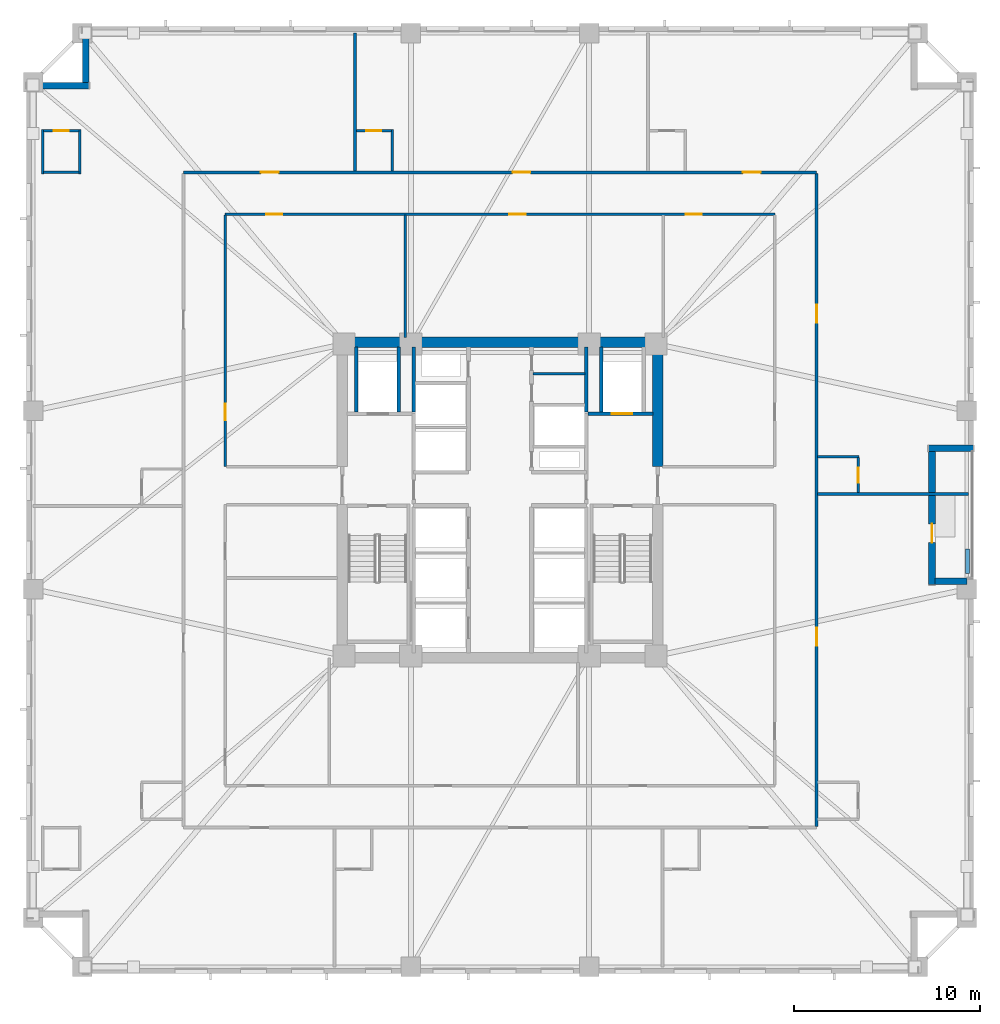
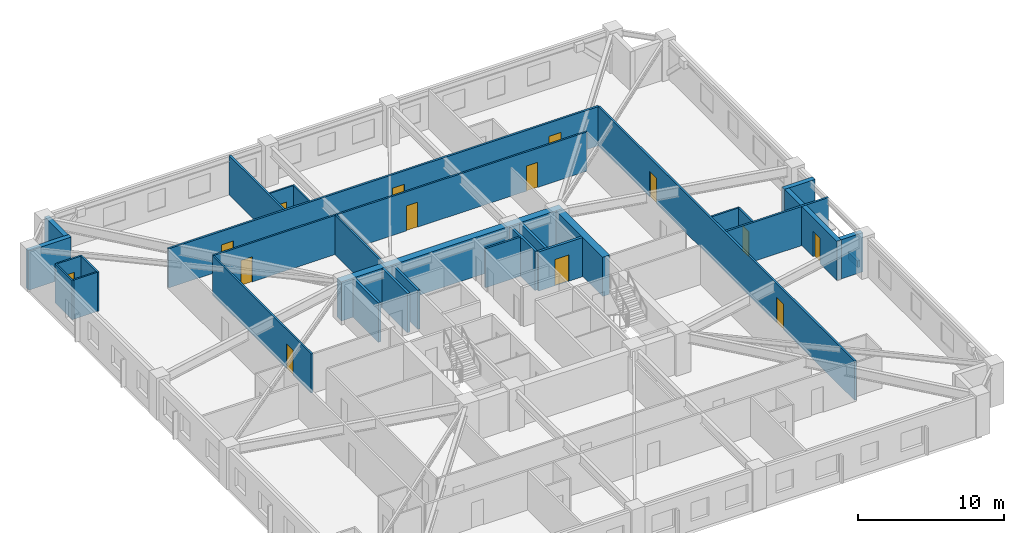
# One storey, part 5 of 11: 30 walls, 14 doors, 14 openings.
"""IFC4 building model written with IfcOpenShell, lengths in metres."""

from ifc_helpers import new_model, si_unit, direction, frame, frame_2d, origin, place, context, subcontext, project, spatial, rectangle, extrude, material, layer, layer_set, type_object, element, fill, save


model = new_model("IFC4")

# Units and contexts
model_context = context("Model", 3, precision=1e-05, world=origin(), true_north=direction((0.0, 1.0)))
body_context = subcontext(model_context, "Body", "Model", "MODEL_VIEW")
ifc_project = project(units=[si_unit("LENGTHUNIT", "METRE"), si_unit("AREAUNIT", "SQUARE_METRE"), si_unit("VOLUMEUNIT", "CUBIC_METRE"), si_unit("PLANEANGLEUNIT", "RADIAN"), si_unit("MASSUNIT", "GRAM", prefix="KILO")], contexts=[model_context])

# Site, building, storey
site_placement = place(None, origin())
site = spatial("IfcSite", under=ifc_project, at=site_placement, CompositionType="ELEMENT")
building_placement = place(site_placement, origin())
building = spatial("IfcBuilding", under=site, at=building_placement, Name="Cairnveth Concourse Tower", CompositionType="ELEMENT")
storey_placement = place(building_placement, frame((0.0, 0.0, 65.5)))
storey = spatial("IfcBuildingStorey", under=building, at=storey_placement, Name="L17", CompositionType="ELEMENT", Elevation=65.5)

# Wall
ifc_material_1 = material(Name="Gypsum Plasterboard Partition", Category="gypsum")
ifc_layer_1 = layer(ifc_material_1, 0.159912109375)
ifc_layer_set_1 = layer_set([ifc_layer_1], Name="Gypsum Plasterboard Partition")
wall_type_1 = type_object("IfcWallType", Name="ACOUSTIC PARTY WALL 180", PredefinedType="PARTITIONING", material=ifc_layer_set_1)
wall_1_placement = place(storey_placement, frame((53.784912109375, 45.800048828125, 0.0), z_axis=(0.0, 0.0, 1.0), x_axis=(1.0, 0.0, 0.0)))
element("IfcWall", 1, at=wall_1_placement, inside=storey, type_object=wall_type_1, Name="Interior Wall IW-L17-037", PredefinedType="PARTITIONING", context=body_context, shape_type="SweptSolid", body=[
    extrude(rectangle(XDim=2.7900390625, YDim=0.159912109375, at=frame_2d((1.39501953125, 0.0))), origin(), (0.0, 0.0, 1.0), 3.280029296875),
])

# Wall, openings, doors
wall_2_placement = place(storey_placement, frame((34.949951171875, 56.64990234375, 0.0), z_axis=(0.0, 0.0, 1.0), x_axis=(1.0, 0.0, 0.0)))
wall_2 = element("IfcWall", 2, at=wall_2_placement, inside=storey, type_object=wall_type_1, Name="Interior Wall IW-L17-039", PredefinedType="PARTITIONING", context=body_context, shape_type="SweptSolid", body=[
    extrude(rectangle(XDim=34.10009765625, YDim=0.159912109375, at=frame_2d((17.050048828125, 0.0))), origin(), (0.0, 0.0, 1.0), 3.280029296875),
])
opening_1_placement = place(wall_2_placement, frame((4.166259765625, 0.0, 0.0)))
opening_1 = element("IfcOpeningElement", 3, at=opening_1_placement, cuts=wall_2, Name="Opening ID09", PredefinedType="OPENING", context=body_context, shape_type="SweptSolid", body=[
    extrude(rectangle(XDim=0.9599609375, YDim=2.14990234375, at=frame_2d((0.47998046875, 1.074951171875))), frame((0.0, 0.08984375, 0.0), z_axis=(0.0, -1.0, 0.0), x_axis=(1.0, 0.0, 0.0)), (0.0, 0.0, 1.0), 0.179931640625),
])
opening_2_placement = place(wall_2_placement, frame((17.72998046875, 0.0, 0.0)))
opening_2 = element("IfcOpeningElement", 4, at=opening_2_placement, cuts=wall_2, Name="Opening ID09", PredefinedType="OPENING", context=body_context, shape_type="SweptSolid", body=[
    extrude(rectangle(XDim=0.9599609375, YDim=2.14990234375, at=frame_2d((0.47998046875, 1.074951171875))), frame((0.0, 0.08984375, 0.0), z_axis=(0.0, -1.0, 0.0), x_axis=(1.0, 0.0, 0.0)), (0.0, 0.0, 1.0), 0.179931640625),
])
opening_3_placement = place(wall_2_placement, frame((30.1337890625, 0.0, 0.0)))
opening_3 = element("IfcOpeningElement", 5, at=opening_3_placement, cuts=wall_2, Name="Opening ID09", PredefinedType="OPENING", context=body_context, shape_type="SweptSolid", body=[
    extrude(rectangle(XDim=0.9599609375, YDim=2.14990234375, at=frame_2d((0.47998046875, 1.074951171875))), frame((0.0, 0.08984375, 0.0), z_axis=(0.0, -1.0, 0.0), x_axis=(1.0, 0.0, 0.0)), (0.0, 0.0, 1.0), 0.179931640625),
])
ifc_material_2 = material(Name="Solid Core Hardwood Timber Leaf", Category="wood")
door_type_1 = type_object("IfcDoorType", Name="HOTEL ENTRANCE DOOR 960X2150", OperationType="NOTDEFINED", PredefinedType="DOOR", material=ifc_material_2)
door_1_placement = place(opening_1_placement, origin())
door_1 = element("IfcDoor", 6, at=door_1_placement, inside=storey, type_object=door_type_1, Name="Hotel Room Door L17-N1", OperationType="SINGLE_SWING_RIGHT", OverallHeight=2.14990234375, OverallWidth=0.9599609375, PredefinedType="DOOR", context=body_context, shape_type="SweptSolid", body=[
    extrude(rectangle(XDim=0.9599609375, YDim=2.14990234375, at=frame_2d((0.47998046875, 1.074951171875))), frame((0.0, 0.02490234375, 0.0), z_axis=(0.0, -1.0, 0.0), x_axis=(1.0, 0.0, 0.0)), (0.0, 0.0, 1.0), 0.050048828125),
])
fill(opening_1, door_1)
door_2_placement = place(opening_2_placement, origin())
door_2 = element("IfcDoor", 7, at=door_2_placement, inside=storey, type_object=door_type_1, Name="Hotel Room Door L17-N2", OperationType="SINGLE_SWING_RIGHT", OverallHeight=2.14990234375, OverallWidth=0.9599609375, PredefinedType="DOOR", context=body_context, shape_type="SweptSolid", body=[
    extrude(rectangle(XDim=0.9599609375, YDim=2.14990234375, at=frame_2d((0.47998046875, 1.074951171875))), frame((0.0, 0.02490234375, 0.0), z_axis=(0.0, -1.0, 0.0), x_axis=(1.0, 0.0, 0.0)), (0.0, 0.0, 1.0), 0.050048828125),
])
fill(opening_2, door_2)
door_3_placement = place(opening_3_placement, origin())
door_3 = element("IfcDoor", 8, at=door_3_placement, inside=storey, type_object=door_type_1, Name="Hotel Room Door L17-N3", OperationType="SINGLE_SWING_RIGHT", OverallHeight=2.14990234375, OverallWidth=0.9599609375, PredefinedType="DOOR", context=body_context, shape_type="SweptSolid", body=[
    extrude(rectangle(XDim=0.9599609375, YDim=2.14990234375, at=frame_2d((0.47998046875, 1.074951171875))), frame((0.0, 0.02490234375, 0.0), z_axis=(0.0, -1.0, 0.0), x_axis=(1.0, 0.0, 0.0)), (0.0, 0.0, 1.0), 0.050048828125),
])
fill(opening_3, door_3)

wall_3_placement = place(storey_placement, frame((69.050048828125, 21.4150390625, 0.0), z_axis=(0.0, 0.0, 1.0), x_axis=(0.0, 1.0, 0.0)))
wall_3 = element("IfcWall", 9, at=wall_3_placement, inside=storey, type_object=wall_type_1, Name="Interior Wall IW-L17-041", PredefinedType="PARTITIONING", context=body_context, shape_type="SweptSolid", body=[
    extrude(rectangle(XDim=35.169921875, YDim=0.159912109375, at=frame_2d((17.5849609375, 0.0))), origin(), (0.0, 0.0, 1.0), 3.280029296875),
])
opening_4_placement = place(wall_3_placement, frame((9.74560546875, 0.0, 0.0)))
opening_4 = element("IfcOpeningElement", 10, at=opening_4_placement, cuts=wall_3, Name="Opening ID09", PredefinedType="OPENING", context=body_context, shape_type="SweptSolid", body=[
    extrude(rectangle(XDim=0.9599609375, YDim=2.14990234375, at=frame_2d((0.47998046875, 1.074951171875))), frame((0.0, 0.08984375, 0.0), z_axis=(0.0, -1.0, 0.0), x_axis=(1.0, 0.0, 0.0)), (0.0, 0.0, 1.0), 0.179931640625),
])
opening_5_placement = place(wall_3_placement, frame((27.145751953125, 0.0, 0.0)))
opening_5 = element("IfcOpeningElement", 11, at=opening_5_placement, cuts=wall_3, Name="Opening ID09", PredefinedType="OPENING", context=body_context, shape_type="SweptSolid", body=[
    extrude(rectangle(XDim=0.9599609375, YDim=2.14990234375, at=frame_2d((0.47998046875, 1.074951171875))), frame((0.0, 0.08984375, 0.0), z_axis=(0.0, -1.0, 0.0), x_axis=(1.0, 0.0, 0.0)), (0.0, 0.0, 1.0), 0.179931640625),
])
door_4_placement = place(opening_4_placement, origin())
door_4 = element("IfcDoor", 12, at=door_4_placement, inside=storey, type_object=door_type_1, Name="Hotel Room Door L17-E1", OperationType="SINGLE_SWING_RIGHT", OverallHeight=2.14990234375, OverallWidth=0.9599609375, PredefinedType="DOOR", context=body_context, shape_type="SweptSolid", body=[
    extrude(rectangle(XDim=0.9599609375, YDim=2.14990234375, at=frame_2d((0.47998046875, 1.074951171875))), frame((0.0, 0.02490234375, 0.0), z_axis=(0.0, -1.0, 0.0), x_axis=(1.0, 0.0, 0.0)), (0.0, 0.0, 1.0), 0.050048828125),
])
fill(opening_4, door_4)
door_5_placement = place(opening_5_placement, origin())
door_5 = element("IfcDoor", 13, at=door_5_placement, inside=storey, type_object=door_type_1, Name="Hotel Room Door L17-E2", OperationType="SINGLE_SWING_RIGHT", OverallHeight=2.14990234375, OverallWidth=0.9599609375, PredefinedType="DOOR", context=body_context, shape_type="SweptSolid", body=[
    extrude(rectangle(XDim=0.9599609375, YDim=2.14990234375, at=frame_2d((0.47998046875, 1.074951171875))), frame((0.0, 0.02490234375, 0.0), z_axis=(0.0, -1.0, 0.0), x_axis=(1.0, 0.0, 0.0)), (0.0, 0.0, 1.0), 0.050048828125),
])
fill(opening_5, door_5)

# Walls
wall_4_placement = place(storey_placement, frame((44.1923828125, 56.715087890625, 0.0), z_axis=(0.0, 0.0, 1.0), x_axis=(0.0, 1.0, 0.0)))
element("IfcWall", 14, at=wall_4_placement, inside=storey, type_object=wall_type_1, Name="Interior Wall IW-L17-071", PredefinedType="PARTITIONING", context=body_context, shape_type="SweptSolid", body=[
    extrude(rectangle(XDim=7.43994140625, YDim=0.159912109375, at=frame_2d((3.719970703125, 0.0))), origin(), (0.0, 0.0, 1.0), 3.280029296875),
])
wall_5_placement = place(storey_placement, frame((69.114990234375, 39.33154296875, 0.0), z_axis=(0.0, 0.0, 1.0), x_axis=(1.0, 0.0, 0.0)))
element("IfcWall", 15, at=wall_5_placement, inside=storey, type_object=wall_type_1, Name="Interior Wall IW-L17-086", PredefinedType="PARTITIONING", context=body_context, shape_type="SweptSolid", body=[
    extrude(rectangle(XDim=8.114990234375, YDim=0.159912109375, at=frame_2d((4.0576171875, 0.0))), origin(), (0.0, 0.0, 1.0), 3.280029296875),
])
ifc_material_3 = material(Name="Concrete N80 (80 MPa)", Category="concrete")
ifc_layer_2 = layer(ifc_material_3, 0.550048828125)
ifc_layer_set_2 = layer_set([ifc_layer_2], Name="Concrete N80 (80 MPa)")
wall_type_2 = type_object("IfcWallType", Name="CORE SHEAR WALL 550", PredefinedType="SHEAR", material=ifc_layer_set_2)
wall_6_placement = place(storey_placement, frame((43.22509765625, 47.5, 0.0), z_axis=(0.0, 0.0, 1.0), x_axis=(1.0, 0.0, 0.0)))
element("IfcWall", 16, at=wall_6_placement, inside=storey, type_object=wall_type_2, Name="Core North Shear Wall L17", PredefinedType="SHEAR", context=body_context, shape_type="SweptSolid", body=[
    extrude(rectangle(XDim=17.5498046875, YDim=0.550048828125, at=frame_2d((8.77490234375, 0.0))), origin(), (0.0, 0.0, 1.0), 3.280029296875),
])
wall_7_placement = place(storey_placement, frame((60.5, 40.800048828125, 0.0), z_axis=(0.0, 0.0, 1.0), x_axis=(0.0, 1.0, 0.0)))
element("IfcWall", 17, at=wall_7_placement, inside=storey, type_object=wall_type_2, Name="Core East Shear Wall N L17", PredefinedType="SHEAR", context=body_context, shape_type="SweptSolid", body=[
    extrude(rectangle(XDim=6.43505859375, YDim=0.550048828125, at=frame_2d((3.217529296875, 0.0))), origin(), (0.0, 0.0, 1.0), 3.280029296875),
])
ifc_material_4 = material(Name="Concrete N50 (50 MPa)", Category="concrete")
ifc_layer_3 = layer(ifc_material_4, 0.179931640625)
ifc_layer_set_3 = layer_set([ifc_layer_3], Name="Concrete N50 (50 MPa)")
wall_type_3 = type_object("IfcWallType", Name="FIRE SHAFT WALL 180", PredefinedType="SOLIDWALL", material=ifc_layer_set_3)
for number, where, z_axis, x_axis, name in (
    (18, (47.35009765625, 43.735107421875, 0.0), (0.0, 0.0, 1.0), (0.0, 1.0, 0.0), "Interior Wall IW-L17-031"),
    (19, (56.64990234375, 43.735107421875, 0.0), (0.0, 0.0, 1.0), (0.0, 1.0, 0.0), "Interior Wall IW-L17-034"),
):
    element("IfcWall", number, at=place(storey_placement, frame(where, z_axis=z_axis, x_axis=x_axis)), inside=storey, type_object=wall_type_3, Name=name, PredefinedType="SOLIDWALL", context=body_context, shape_type="SweptSolid", body=[
        extrude(rectangle(XDim=3.5048828125, YDim=0.179931640625, at=frame_2d((1.75244140625, 0.0))), origin(), (0.0, 0.0, 1.0), 3.280029296875),
    ])
ifc_layer_4 = layer(ifc_material_4, 0.199951171875)
ifc_layer_set_4 = layer_set([ifc_layer_4], Name="Concrete N50 (50 MPa)")
wall_type_4 = type_object("IfcWallType", Name="FIRE SHAFT WALL 200", PredefinedType="SOLIDWALL", material=ifc_layer_set_4)
for number, where, z_axis, x_axis, name in (
    (20, (46.550048828125, 43.735107421875, 0.0), (0.0, 0.0, 1.0), (0.0, 1.0, 0.0), "Interior Wall IW-L17-018"),
    (21, (44.25, 43.735107421875, 0.0), (0.0, 0.0, 1.0), (0.0, 1.0, 0.0), "Interior Wall IW-L17-019"),
):
    element("IfcWall", number, at=place(storey_placement, frame(where, z_axis=z_axis, x_axis=x_axis)), inside=storey, type_object=wall_type_4, Name=name, PredefinedType="SOLIDWALL", context=body_context, shape_type="SweptSolid", body=[
        extrude(rectangle(XDim=3.5048828125, YDim=0.199951171875, at=frame_2d((1.75244140625, 0.0))), origin(), (0.0, 0.0, 1.0), 3.280029296875),
    ])

# Wall, opening, door
wall_8_placement = place(storey_placement, frame((56.735107421875, 43.64990234375, 0.0), z_axis=(0.0, 0.0, 1.0), x_axis=(1.0, 0.0, 0.0)))
wall_8 = element("IfcWall", 22, at=wall_8_placement, inside=storey, type_object=wall_type_4, Name="Interior Wall IW-L17-022", PredefinedType="SOLIDWALL", context=body_context, shape_type="SweptSolid", body=[
    extrude(rectangle(XDim=3.5048828125, YDim=0.199951171875, at=frame_2d((1.75244140625, 0.0))), origin(), (0.0, 0.0, 1.0), 3.280029296875),
])
opening_6_placement = place(wall_8_placement, frame((1.294921875, 0.0, 0.0)))
opening_6 = element("IfcOpeningElement", 23, at=opening_6_placement, cuts=wall_8, Name="Opening LD-1", PredefinedType="OPENING", context=body_context, shape_type="SweptSolid", body=[
    extrude(rectangle(XDim=1.10009765625, YDim=2.199951171875, at=frame_2d((0.550048828125, 1.10009765625))), frame((0.0, 0.10986328125, 0.0), z_axis=(0.0, -1.0, 0.0), x_axis=(1.0, 0.0, 0.0)), (0.0, 0.0, 1.0), 0.219970703125),
])
ifc_material_5 = material(Name="Architectural Bronze Anodised Aluminium 6063-T6", Category="aluminium")
door_type_2 = type_object("IfcDoorType", Name="LIFT LANDING DOOR 1100X2200", OperationType="SLIDING_TO_LEFT", PredefinedType="DOOR", material=ifc_material_5)
door_6_placement = place(opening_6_placement, origin())
door_6 = element("IfcDoor", 24, at=door_6_placement, inside=storey, type_object=door_type_2, Name="Lift FFL2 Landing Door L17", OperationType="SLIDING_TO_LEFT", OverallHeight=2.199951171875, OverallWidth=1.10009765625, PredefinedType="DOOR", context=body_context, shape_type="SweptSolid", body=[
    extrude(rectangle(XDim=1.10009765625, YDim=2.199951171875, at=frame_2d((0.550048828125, 1.10009765625))), frame((0.0, 0.02490234375, 0.0), z_axis=(0.0, -1.0, 0.0), x_axis=(1.0, 0.0, 0.0)), (0.0, 0.0, 1.0), 0.050048828125),
])
fill(opening_6, door_6)

# Wall
wall_9_placement = place(storey_placement, frame((57.449951171875, 43.735107421875, 0.0), z_axis=(0.0, 0.0, 1.0), x_axis=(0.0, 1.0, 0.0)))
element("IfcWall", 25, at=wall_9_placement, inside=storey, type_object=wall_type_4, Name="Interior Wall IW-L17-023", PredefinedType="SOLIDWALL", context=body_context, shape_type="SweptSolid", body=[
    extrude(rectangle(XDim=3.5048828125, YDim=0.199951171875, at=frame_2d((1.75244140625, 0.0))), origin(), (0.0, 0.0, 1.0), 3.280029296875),
])

# Wall, openings, doors
ifc_layer_5 = layer(ifc_material_1, 0.139892578125)
ifc_layer_set_5 = layer_set([ifc_layer_5], Name="Gypsum Plasterboard Partition")
wall_type_5 = type_object("IfcWallType", Name="GYPSUM STUD PARTITION 140", PredefinedType="PARTITIONING", material=ifc_layer_set_5)
wall_10_placement = place(storey_placement, frame((37.199951171875, 54.39990234375, 0.0), z_axis=(0.0, 0.0, 1.0), x_axis=(1.0, 0.0, 0.0)))
wall_10 = element("IfcWall", 26, at=wall_10_placement, inside=storey, type_object=wall_type_5, Name="Interior Wall IW-L17-043", PredefinedType="PARTITIONING", context=body_context, shape_type="SweptSolid", body=[
    extrude(rectangle(XDim=29.60009765625, YDim=0.139892578125, at=frame_2d((14.800048828125, 0.0))), origin(), (0.0, 0.0, 1.0), 3.280029296875),
])
opening_7_placement = place(wall_10_placement, frame((2.199951171875, 0.0, 0.0)))
opening_7 = element("IfcOpeningElement", 27, at=opening_7_placement, cuts=wall_10, Name="Opening ID18", PredefinedType="OPENING", context=body_context, shape_type="SweptSolid", body=[
    extrude(rectangle(XDim=0.8798828125, YDim=2.10009765625, at=frame_2d((0.43994140625, 1.050048828125))), frame((0.0, 0.079833984375, 0.0), z_axis=(0.0, -1.0, 0.0), x_axis=(1.0, 0.0, 0.0)), (0.0, 0.0, 1.0), 0.159912109375),
])
opening_8_placement = place(wall_10_placement, frame((15.300048828125, 0.0, 0.0)))
opening_8 = element("IfcOpeningElement", 28, at=opening_8_placement, cuts=wall_10, Name="Opening ID18", PredefinedType="OPENING", context=body_context, shape_type="SweptSolid", body=[
    extrude(rectangle(XDim=0.8798828125, YDim=2.10009765625, at=frame_2d((0.43994140625, 1.050048828125))), frame((0.0, 0.079833984375, 0.0), z_axis=(0.0, -1.0, 0.0), x_axis=(1.0, 0.0, 0.0)), (0.0, 0.0, 1.0), 0.159912109375),
])
opening_9_placement = place(wall_10_placement, frame((24.800048828125, 0.0, 0.0)))
opening_9 = element("IfcOpeningElement", 29, at=opening_9_placement, cuts=wall_10, Name="Opening ID18", PredefinedType="OPENING", context=body_context, shape_type="SweptSolid", body=[
    extrude(rectangle(XDim=0.8798828125, YDim=2.10009765625, at=frame_2d((0.43994140625, 1.050048828125))), frame((0.0, 0.079833984375, 0.0), z_axis=(0.0, -1.0, 0.0), x_axis=(1.0, 0.0, 0.0)), (0.0, 0.0, 1.0), 0.159912109375),
])
door_type_3 = type_object("IfcDoorType", Name="INTERIOR SINGLE DOOR 880X2100", OperationType="NOTDEFINED", PredefinedType="DOOR", material=ifc_material_2)
door_7_placement = place(opening_7_placement, origin())
door_7 = element("IfcDoor", 30, at=door_7_placement, inside=storey, type_object=door_type_3, Name="Interior Door DR-L17-017", OperationType="SINGLE_SWING_LEFT", OverallHeight=2.10009765625, OverallWidth=0.8798828125, PredefinedType="DOOR", context=body_context, shape_type="SweptSolid", body=[
    extrude(rectangle(XDim=0.8798828125, YDim=2.10009765625, at=frame_2d((0.43994140625, 1.050048828125))), frame((0.0, 0.02490234375, 0.0), z_axis=(0.0, -1.0, 0.0), x_axis=(1.0, 0.0, 0.0)), (0.0, 0.0, 1.0), 0.050048828125),
])
fill(opening_7, door_7)
door_8_placement = place(opening_8_placement, origin())
door_8 = element("IfcDoor", 31, at=door_8_placement, inside=storey, type_object=door_type_3, Name="Interior Door DR-L17-018", OperationType="SINGLE_SWING_RIGHT", OverallHeight=2.10009765625, OverallWidth=0.8798828125, PredefinedType="DOOR", context=body_context, shape_type="SweptSolid", body=[
    extrude(rectangle(XDim=0.8798828125, YDim=2.10009765625, at=frame_2d((0.43994140625, 1.050048828125))), frame((0.0, 0.02490234375, 0.0), z_axis=(0.0, -1.0, 0.0), x_axis=(1.0, 0.0, 0.0)), (0.0, 0.0, 1.0), 0.050048828125),
])
fill(opening_8, door_8)
door_9_placement = place(opening_9_placement, origin())
door_9 = element("IfcDoor", 32, at=door_9_placement, inside=storey, type_object=door_type_3, Name="Interior Door DR-L17-019", OperationType="SINGLE_SWING_LEFT", OverallHeight=2.10009765625, OverallWidth=0.8798828125, PredefinedType="DOOR", context=body_context, shape_type="SweptSolid", body=[
    extrude(rectangle(XDim=0.8798828125, YDim=2.10009765625, at=frame_2d((0.43994140625, 1.050048828125))), frame((0.0, 0.02490234375, 0.0), z_axis=(0.0, -1.0, 0.0), x_axis=(1.0, 0.0, 0.0)), (0.0, 0.0, 1.0), 0.050048828125),
])
fill(opening_9, door_9)

# Wall, opening, door
wall_11_placement = place(storey_placement, frame((37.199951171875, 40.800048828125, 0.0), z_axis=(0.0, 0.0, 1.0), x_axis=(0.0, 1.0, 0.0)))
wall_11 = element("IfcWall", 33, at=wall_11_placement, inside=storey, type_object=wall_type_5, Name="Interior Wall IW-L17-045", PredefinedType="PARTITIONING", context=body_context, shape_type="SweptSolid", body=[
    extrude(rectangle(XDim=13.544921875, YDim=0.139892578125, at=frame_2d((6.7724609375, 0.0))), origin(), (0.0, 0.0, 1.0), 3.280029296875),
])
opening_10_placement = place(wall_11_placement, frame((2.5, 0.0, 0.0)))
opening_10 = element("IfcOpeningElement", 34, at=opening_10_placement, cuts=wall_11, Name="Opening ID18", PredefinedType="OPENING", context=body_context, shape_type="SweptSolid", body=[
    extrude(rectangle(XDim=0.8798828125, YDim=2.10009765625, at=frame_2d((0.43994140625, 1.050048828125))), frame((0.0, 0.079833984375, 0.0), z_axis=(0.0, -1.0, 0.0), x_axis=(1.0, 0.0, 0.0)), (0.0, 0.0, 1.0), 0.159912109375),
])
door_10_placement = place(opening_10_placement, origin())
door_10 = element("IfcDoor", 35, at=door_10_placement, inside=storey, type_object=door_type_3, Name="Interior Door DR-L17-022", OperationType="SINGLE_SWING_RIGHT", OverallHeight=2.10009765625, OverallWidth=0.8798828125, PredefinedType="DOOR", context=body_context, shape_type="SweptSolid", body=[
    extrude(rectangle(XDim=0.8798828125, YDim=2.10009765625, at=frame_2d((0.43994140625, 1.050048828125))), frame((0.0, 0.02490234375, 0.0), z_axis=(0.0, -1.0, 0.0), x_axis=(1.0, 0.0, 0.0)), (0.0, 0.0, 1.0), 0.050048828125),
])
fill(opening_10, door_10)

# Walls
wall_12_placement = place(storey_placement, frame((46.89990234375, 47.760009765625, 0.0), z_axis=(0.0, 0.0, 1.0), x_axis=(0.0, 1.0, 0.0)))
element("IfcWall", 36, at=wall_12_placement, inside=storey, type_object=wall_type_5, Name="Interior Wall IW-L17-054", PredefinedType="PARTITIONING", context=body_context, shape_type="SweptSolid", body=[
    extrude(rectangle(XDim=6.5849609375, YDim=0.139892578125, at=frame_2d((3.29248046875, 0.0))), origin(), (0.0, 0.0, 1.0), 3.280029296875),
])
ifc_material_6 = material(Name="Dressed Melbourne Bluestone Cladding", Category="masonry")
ifc_layer_6 = layer(ifc_material_6, 0.219970703125)
ifc_layer_set_6 = layer_set([ifc_layer_6], Name="Dressed Melbourne Bluestone Cladding")
wall_type_6 = type_object("IfcWallType", Name="TERRACE PLANTER CURB WALL 220", PredefinedType="PARAPET", material=ifc_layer_set_6)
wall_13_placement = place(storey_placement, frame((77.179931640625, 35.050048828125, 0.0), z_axis=(0.0, 0.0, 1.0), x_axis=(0.0, 1.0, 0.0)))
element("IfcWall", 37, at=wall_13_placement, inside=storey, type_object=wall_type_6, Name="Exterior Wall PLNT-L17-TERR", PredefinedType="PARAPET", context=body_context, shape_type="SweptSolid", body=[
    extrude(rectangle(XDim=1.300048828125, YDim=0.219970703125, at=frame_2d((0.64990234375, 0.0))), origin(), (0.0, 0.0, 1.0), 0.550048828125),
])
ifc_layer_7 = layer(ifc_material_1, 0.1298828125)
ifc_layer_set_7 = layer_set([ifc_layer_7], Name="Gypsum Plasterboard Partition")
wall_type_7 = type_object("IfcWallType", Name="WET AREA PARTITION 140", PredefinedType="PLUMBINGWALL", material=ifc_layer_set_7)
for number, where, z_axis, x_axis, name in (
    (38, (27.3701171875, 56.570068359375, 0.0), (0.0, 0.0, 1.0), (0.0, 1.0, 0.0), "Interior Wall IW-L17-067"),
    (39, (29.3701171875, 56.570068359375, 0.0), (0.0, 0.0, 1.0), (0.0, 1.0, 0.0), "Interior Wall IW-L17-068"),
):
    element("IfcWall", number, at=place(storey_placement, frame(where, z_axis=z_axis, x_axis=x_axis)), inside=storey, type_object=wall_type_7, Name=name, PredefinedType="PLUMBINGWALL", context=body_context, shape_type="SweptSolid", body=[
        extrude(rectangle(XDim=2.3798828125, YDim=0.1298828125, at=frame_2d((1.18994140625, 0.0))), origin(), (0.0, 0.0, 1.0), 3.280029296875),
    ])

# Wall, opening, door
wall_14_placement = place(storey_placement, frame((27.419921875, 58.89990234375, 0.0), z_axis=(0.0, 0.0, 1.0), x_axis=(1.0, 0.0, 0.0)))
wall_14 = element("IfcWall", 40, at=wall_14_placement, inside=storey, type_object=wall_type_7, Name="Interior Wall IW-L17-069", PredefinedType="PLUMBINGWALL", context=body_context, shape_type="SweptSolid", body=[
    extrude(rectangle(XDim=1.900146484375, YDim=0.1298828125, at=frame_2d((0.9501953125, 0.0))), origin(), (0.0, 0.0, 1.0), 3.280029296875),
])
opening_11_placement = place(wall_14_placement, frame((0.5400390625, 0.0, 0.0)))
opening_11 = element("IfcOpeningElement", 41, at=opening_11_placement, cuts=wall_14, Name="Opening ID22", PredefinedType="OPENING", context=body_context, shape_type="SweptSolid", body=[
    extrude(rectangle(XDim=0.820068359375, YDim=2.10009765625, at=frame_2d((0.41015625, 1.050048828125))), frame((0.0, 0.074951171875, 0.0), z_axis=(0.0, -1.0, 0.0), x_axis=(1.0, 0.0, 0.0)), (0.0, 0.0, 1.0), 0.14990234375),
])
door_type_4 = type_object("IfcDoorType", Name="INTERIOR WC DOOR 820X2100", OperationType="NOTDEFINED", PredefinedType="DOOR", material=ifc_material_2)
door_11_placement = place(opening_11_placement, origin())
door_11 = element("IfcDoor", 42, at=door_11_placement, inside=storey, type_object=door_type_4, Name="En-Suite Door L17-N1", OperationType="SINGLE_SWING_LEFT", OverallHeight=2.10009765625, OverallWidth=0.820068359375, PredefinedType="DOOR", context=body_context, shape_type="SweptSolid", body=[
    extrude(rectangle(XDim=0.820068359375, YDim=2.10009765625, at=frame_2d((0.41015625, 1.050048828125))), frame((0.0, 0.02490234375, 0.0), z_axis=(0.0, -1.0, 0.0), x_axis=(1.0, 0.0, 0.0)), (0.0, 0.0, 1.0), 0.050048828125),
])
fill(opening_11, door_11)

# Walls
wall_15_placement = place(storey_placement, frame((27.419921875, 56.64990234375, 0.0), z_axis=(0.0, 0.0, 1.0), x_axis=(1.0, 0.0, 0.0)))
element("IfcWall", 43, at=wall_15_placement, inside=storey, type_object=wall_type_7, Name="Interior Wall IW-L17-070", PredefinedType="PLUMBINGWALL", context=body_context, shape_type="SweptSolid", body=[
    extrude(rectangle(XDim=1.900146484375, YDim=0.1298828125, at=frame_2d((0.9501953125, 0.0))), origin(), (0.0, 0.0, 1.0), 3.280029296875),
])
wall_16_placement = place(storey_placement, frame((46.1923828125, 56.715087890625, 0.0), z_axis=(0.0, 0.0, 1.0), x_axis=(0.0, 1.0, 0.0)))
element("IfcWall", 44, at=wall_16_placement, inside=storey, type_object=wall_type_7, Name="Interior Wall IW-L17-072", PredefinedType="PLUMBINGWALL", context=body_context, shape_type="SweptSolid", body=[
    extrude(rectangle(XDim=2.23486328125, YDim=0.1298828125, at=frame_2d((1.117431640625, 0.0))), origin(), (0.0, 0.0, 1.0), 3.280029296875),
])

# Wall, opening, door
wall_17_placement = place(storey_placement, frame((44.257568359375, 58.89990234375, 0.0), z_axis=(0.0, 0.0, 1.0), x_axis=(1.0, 0.0, 0.0)))
wall_17 = element("IfcWall", 45, at=wall_17_placement, inside=storey, type_object=wall_type_7, Name="Interior Wall IW-L17-073", PredefinedType="PLUMBINGWALL", context=body_context, shape_type="SweptSolid", body=[
    extrude(rectangle(XDim=1.885009765625, YDim=0.1298828125, at=frame_2d((0.9423828125, 0.0))), origin(), (0.0, 0.0, 1.0), 3.280029296875),
])
opening_12_placement = place(wall_17_placement, frame((0.52490234375, 0.0, 0.0)))
opening_12 = element("IfcOpeningElement", 46, at=opening_12_placement, cuts=wall_17, Name="Opening ID22", PredefinedType="OPENING", context=body_context, shape_type="SweptSolid", body=[
    extrude(rectangle(XDim=0.820068359375, YDim=2.10009765625, at=frame_2d((0.41015625, 1.050048828125))), frame((0.0, 0.074951171875, 0.0), z_axis=(0.0, -1.0, 0.0), x_axis=(1.0, 0.0, 0.0)), (0.0, 0.0, 1.0), 0.14990234375),
])
door_12_placement = place(opening_12_placement, origin())
door_12 = element("IfcDoor", 47, at=door_12_placement, inside=storey, type_object=door_type_4, Name="En-Suite Door L17-N2", OperationType="SINGLE_SWING_LEFT", OverallHeight=2.10009765625, OverallWidth=0.820068359375, PredefinedType="DOOR", context=body_context, shape_type="SweptSolid", body=[
    extrude(rectangle(XDim=0.820068359375, YDim=2.10009765625, at=frame_2d((0.41015625, 1.050048828125))), frame((0.0, 0.02490234375, 0.0), z_axis=(0.0, -1.0, 0.0), x_axis=(1.0, 0.0, 0.0)), (0.0, 0.0, 1.0), 0.050048828125),
])
fill(opening_12, door_12)

# Wall
wall_18_placement = place(storey_placement, frame((69.114990234375, 41.33154296875, 0.0), z_axis=(0.0, 0.0, 1.0), x_axis=(1.0, 0.0, 0.0)))
element("IfcWall", 48, at=wall_18_placement, inside=storey, type_object=wall_type_7, Name="Interior Wall IW-L17-087", PredefinedType="PLUMBINGWALL", context=body_context, shape_type="SweptSolid", body=[
    extrude(rectangle(XDim=2.235107421875, YDim=0.1298828125, at=frame_2d((1.11767578125, 0.0))), origin(), (0.0, 0.0, 1.0), 3.280029296875),
])

# Wall, opening, door
wall_19_placement = place(storey_placement, frame((71.300048828125, 39.396484375, 0.0), z_axis=(0.0, 0.0, 1.0), x_axis=(0.0, 1.0, 0.0)))
wall_19 = element("IfcWall", 49, at=wall_19_placement, inside=storey, type_object=wall_type_7, Name="Interior Wall IW-L17-088", PredefinedType="PLUMBINGWALL", context=body_context, shape_type="SweptSolid", body=[
    extrude(rectangle(XDim=1.885009765625, YDim=0.1298828125, at=frame_2d((0.9423828125, 0.0))), origin(), (0.0, 0.0, 1.0), 3.280029296875),
])
opening_13_placement = place(wall_19_placement, frame((0.52490234375, 0.0, 0.0)))
opening_13 = element("IfcOpeningElement", 50, at=opening_13_placement, cuts=wall_19, Name="Opening ID22", PredefinedType="OPENING", context=body_context, shape_type="SweptSolid", body=[
    extrude(rectangle(XDim=0.820068359375, YDim=2.10009765625, at=frame_2d((0.41015625, 1.050048828125))), frame((0.0, 0.074951171875, 0.0), z_axis=(0.0, -1.0, 0.0), x_axis=(1.0, 0.0, 0.0)), (0.0, 0.0, 1.0), 0.14990234375),
])
door_13_placement = place(opening_13_placement, origin())
door_13 = element("IfcDoor", 51, at=door_13_placement, inside=storey, type_object=door_type_4, Name="En-Suite Door L17-E2", OperationType="SINGLE_SWING_LEFT", OverallHeight=2.10009765625, OverallWidth=0.820068359375, PredefinedType="DOOR", context=body_context, shape_type="SweptSolid", body=[
    extrude(rectangle(XDim=0.820068359375, YDim=2.10009765625, at=frame_2d((0.41015625, 1.050048828125))), frame((0.0, 0.02490234375, 0.0), z_axis=(0.0, -1.0, 0.0), x_axis=(1.0, 0.0, 0.0)), (0.0, 0.0, 1.0), 0.050048828125),
])
fill(opening_13, door_13)

# Walls
ifc_material_7 = material(Name="Hawthorn Red-Ochre Fired Clay Brick Masonry", Category="masonry")
ifc_layer_8 = layer(ifc_material_7, 0.360107421875)
ifc_layer_set_8 = layer_set([ifc_layer_8], Name="Hawthorn Red-Ochre Fired Clay Brick Masonry")
wall_type_8 = type_object("IfcWallType", Name="ZONE 1 BRICK PIER SPANDREL WALL 360", PredefinedType="SOLIDWALL", material=ifc_layer_set_8)
wall_20_placement = place(storey_placement, frame((26.5, 61.320068359375, 0.0), z_axis=(0.0, 0.0, 1.0), x_axis=(1.0, 0.0, 0.0)))
element("IfcWall", 52, at=wall_20_placement, inside=storey, type_object=wall_type_8, Name="Exterior Wall EW-L17-S07", PredefinedType="SOLIDWALL", context=body_context, shape_type="SweptSolid", body=[
    extrude(rectangle(XDim=3.360107421875, YDim=0.360107421875, at=frame_2d((1.68017578125, 0.0))), origin(), (0.0, 0.0, 1.0), 3.280029296875),
])
wall_21_placement = place(storey_placement, frame((29.679931640625, 61.47802734375, 0.0), z_axis=(0.0, 0.0, 1.0), x_axis=(0.0, 1.0, 0.0)))
element("IfcWall", 53, at=wall_21_placement, inside=storey, type_object=wall_type_8, Name="Exterior Wall EW-L17-S08", PredefinedType="SOLIDWALL", context=body_context, shape_type="SweptSolid", body=[
    extrude(rectangle(XDim=2.68408203125, YDim=0.360107421875, at=frame_2d((1.342041015625, 0.0))), origin(), (0.0, 0.0, 1.0), 3.280029296875),
])
wall_22_placement = place(storey_placement, frame((77.5, 41.780029296875, 0.0), z_axis=(0.0, 0.0, 1.0), x_axis=(-1.0, 0.0, 0.0)))
element("IfcWall", 54, at=wall_22_placement, inside=storey, type_object=wall_type_8, Name="Exterior Wall EW-L17-S13", PredefinedType="SOLIDWALL", context=body_context, shape_type="SweptSolid", body=[
    extrude(rectangle(XDim=2.409912109375, YDim=0.360107421875, at=frame_2d((1.205078125, 0.0))), origin(), (0.0, 0.0, 1.0), 3.280029296875),
])

# Wall, opening, door
wall_23_placement = place(storey_placement, frame((75.27001953125, 41.6220703125, 0.0), z_axis=(0.0, 0.0, 1.0), x_axis=(0.0, -1.0, 0.0)))
wall_23 = element("IfcWall", 55, at=wall_23_placement, inside=storey, type_object=wall_type_8, Name="Exterior Wall EW-L17-S14", PredefinedType="SOLIDWALL", context=body_context, shape_type="SweptSolid", body=[
    extrude(rectangle(XDim=7.18212890625, YDim=0.360107421875, at=frame_2d((3.591064453125, 0.0))), origin(), (0.0, 0.0, 1.0), 3.280029296875),
])
opening_14_placement = place(wall_23_placement, frame((3.911376953125, 0.0, 0.0)))
opening_14 = element("IfcOpeningElement", 56, at=opening_14_placement, cuts=wall_23, Name="Opening ED4", PredefinedType="OPENING", context=body_context, shape_type="SweptSolid", body=[
    extrude(rectangle(XDim=1.0, YDim=2.14990234375, at=frame_2d((0.5, 1.074951171875))), frame((0.0, 0.18994140625, 0.0), z_axis=(0.0, -1.0, 0.0), x_axis=(1.0, 0.0, 0.0)), (0.0, 0.0, 1.0), 0.380126953125),
])
door_type_5 = type_object("IfcDoorType", Name="TERRACE GLAZED DOOR 1000X2150", OperationType="NOTDEFINED", PredefinedType="DOOR", material=ifc_material_5)
door_14_placement = place(opening_14_placement, origin())
door_14 = element("IfcDoor", 57, at=door_14_placement, inside=storey, type_object=door_type_5, Name="Spiral Terrace Door L17", OperationType="SINGLE_SWING_RIGHT", OverallHeight=2.14990234375, OverallWidth=1.0, PredefinedType="DOOR", context=body_context, shape_type="SweptSolid", body=[
    extrude(rectangle(XDim=1.0, YDim=2.14990234375, at=frame_2d((0.5, 1.074951171875))), frame((0.0, 0.02490234375, 0.0), z_axis=(0.0, -1.0, 0.0), x_axis=(1.0, 0.0, 0.0)), (0.0, 0.0, 1.0), 0.050048828125),
])
fill(opening_14, door_14)

# Wall
wall_24_placement = place(storey_placement, frame((75.427978515625, 34.6201171875, 0.0), z_axis=(0.0, 0.0, 1.0), x_axis=(1.0, 0.0, 0.0)))
element("IfcWall", 58, at=wall_24_placement, inside=storey, type_object=wall_type_8, Name="Exterior Wall EW-L17-S15", PredefinedType="SOLIDWALL", context=body_context, shape_type="SweptSolid", body=[
    extrude(rectangle(XDim=1.734130859375, YDim=0.360107421875, at=frame_2d((0.8671875, 0.0))), origin(), (0.0, 0.0, 1.0), 3.280029296875),
])

save(model, "model.ifc")
